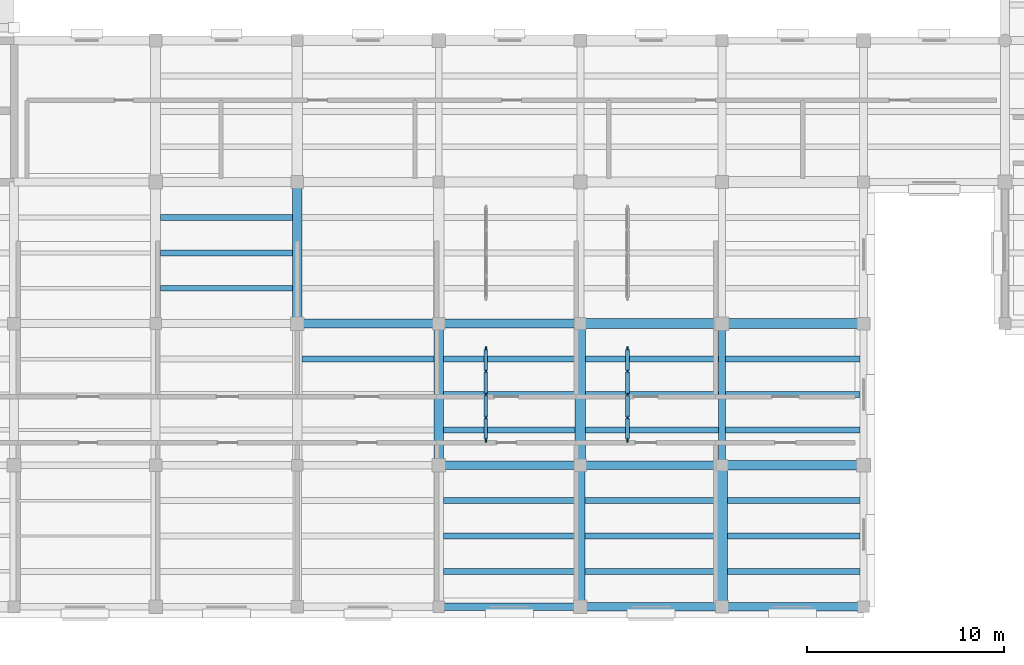
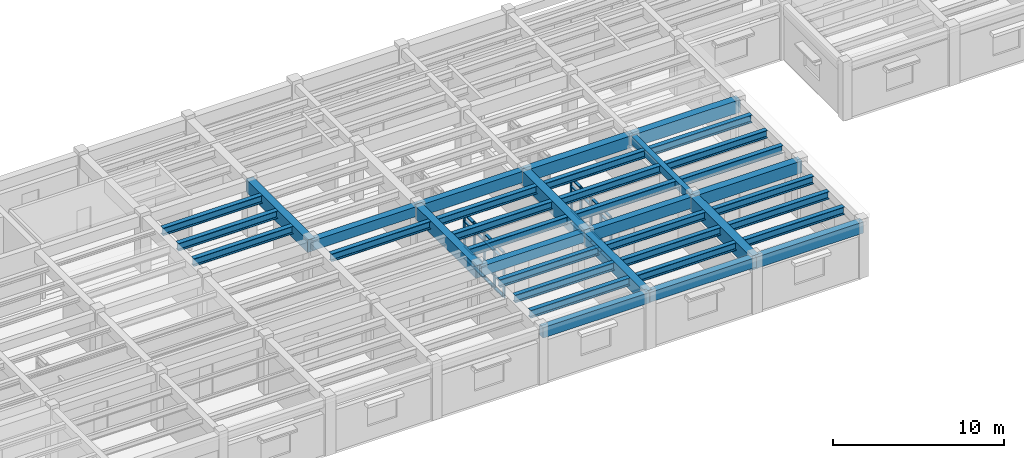
# One storey, part 8 of 66: 42 members, 38 beams, 2 elements without a shape of their own.
"""IFC4 building model written with IfcOpenShell, lengths in metres."""

from ifc_helpers import new_model, si_unit, direction, frame, origin, origin_2d, place, context, subcontext, project, spatial, rectangle, i_section, extrude, material, material_profile, profile_set, type_object, element, aggregate, save


model = new_model("IFC4")

# Units and contexts
model_context = context("Model", 3, precision=1e-05, world=origin(), true_north=direction((0.0, 1.0)))
body_context = subcontext(model_context, "Body", "Model", "MODEL_VIEW")
ifc_project = project(units=[si_unit("LENGTHUNIT", "METRE"), si_unit("AREAUNIT", "SQUARE_METRE"), si_unit("VOLUMEUNIT", "CUBIC_METRE"), si_unit("PLANEANGLEUNIT", "RADIAN"), si_unit("MASSUNIT", "GRAM", prefix="KILO")], contexts=[model_context])

# Site, building, storey
site_placement = place(None, origin())
site = spatial("IfcSite", under=ifc_project, at=site_placement, CompositionType="ELEMENT")
building_placement = place(site_placement, origin())
building = spatial("IfcBuilding", under=site, at=building_placement, Name="Mithqara Police Headquarters", CompositionType="ELEMENT")
storey_placement = place(building_placement, frame((0.0, 0.0, 9.60009765625)))
storey = spatial("IfcBuildingStorey", under=building, at=storey_placement, Name="L02", CompositionType="ELEMENT", Elevation=9.60009765625)

# Beams
ifc_material_1 = material(Name="Steel S355JR", Category="steel")
ifc_material_profile_1 = material_profile(ifc_material_1, i_section(OverallWidth=0.300048828125, OverallDepth=0.550048828125, WebThickness=0.014892578125, FlangeThickness=0.029052734375, FilletRadius=0.027099609375, at=origin_2d()), Name="HEB 550")
ifc_profile_set_1 = profile_set([ifc_material_profile_1], Name="Steel S355JR")
beam_type_1 = type_object("IfcBeamType", Name="BEAM HEB550", PredefinedType="BEAM", material=ifc_profile_set_1)
for number, where, z_axis, x_axis, name in (
    (1, (101.64990234375, 22.800048828125, 3.664794921875), (1.0, 0.0, 0.0), (0.0, 1.0, 0.0), "L02 Composite Steel Joist 15-16/D.1"),
    (2, (101.64990234375, 24.60009765625, 3.664794921875), (1.0, 0.0, 0.0), (0.0, 1.0, 0.0), "L02 Composite Steel Joist 15-16/D.2"),
    (3, (101.64990234375, 26.39990234375, 3.664794921875), (1.0, 0.0, 0.0), (0.0, 1.0, 0.0), "L02 Composite Steel Joist 15-16/D.3"),
):
    element("IfcBeam", number, at=place(storey_placement, frame(where, z_axis=z_axis, x_axis=x_axis)), inside=storey, type_object=beam_type_1, Name=name, PredefinedType="BEAM", context=body_context, shape_type="SweptSolid", body=[
        extrude(i_section(OverallWidth=0.300048828125, OverallDepth=0.550048828125, WebThickness=0.014892578125, FlangeThickness=0.029052734375, FilletRadius=0.027099609375, at=origin_2d()), origin(), (0.0, 0.0, 1.0), 6.7001953125),
    ])
for number, where, z_axis, x_axis, name in (
    (4, (108.85009765625, 19.199951171875, 3.664794921875), (1.0, 0.0, 0.0), (0.0, 1.0, 0.0), "L02 Composite Steel Joist 16-17/C.3"),
    (5, (116.050048828125, 8.39990234375, 3.664794921875), (1.0, 0.0, 0.0), (0.0, 1.0, 0.0), "L02 Composite Steel Joist 17-18/B.1"),
    (6, (116.050048828125, 10.199951171875, 3.664794921875), (1.0, 0.0, 0.0), (0.0, 1.0, 0.0), "L02 Composite Steel Joist 17-18/B.2"),
    (7, (116.050048828125, 12.0, 3.664794921875), (1.0, 0.0, 0.0), (0.0, 1.0, 0.0), "L02 Composite Steel Joist 17-18/B.3"),
):
    element("IfcBeam", number, at=place(storey_placement, frame(where, z_axis=z_axis, x_axis=x_axis)), inside=storey, type_object=beam_type_1, Name=name, PredefinedType="BEAM", context=body_context, shape_type="SweptSolid", body=[
        extrude(i_section(OverallWidth=0.300048828125, OverallDepth=0.550048828125, WebThickness=0.014892578125, FlangeThickness=0.029052734375, FilletRadius=0.027099609375, at=origin_2d()), origin(), (0.0, 0.0, 1.0), 6.699951171875),
    ])
for number, where, z_axis, x_axis, name in (
    (8, (116.050048828125, 15.60009765625, 3.664794921875), (1.0, 0.0, 0.0), (0.0, 1.0, 0.0), "L02 Composite Steel Joist 17-18/C.1"),
    (9, (116.050048828125, 17.39990234375, 3.664794921875), (1.0, 0.0, 0.0), (0.0, 1.0, 0.0), "L02 Composite Steel Joist 17-18/C.2"),
    (10, (116.050048828125, 19.199951171875, 3.664794921875), (1.0, 0.0, 0.0), (0.0, 1.0, 0.0), "L02 Composite Steel Joist 17-18/C.3"),
    (11, (123.25, 8.39990234375, 3.664794921875), (1.0, 0.0, 0.0), (0.0, 1.0, 0.0), "L02 Composite Steel Joist 18-19/B.1"),
    (12, (123.25, 10.199951171875, 3.664794921875), (1.0, 0.0, 0.0), (0.0, 1.0, 0.0), "L02 Composite Steel Joist 18-19/B.2"),
    (13, (123.25, 12.0, 3.664794921875), (1.0, 0.0, 0.0), (0.0, 1.0, 0.0), "L02 Composite Steel Joist 18-19/B.3"),
):
    element("IfcBeam", number, at=place(storey_placement, frame(where, z_axis=z_axis, x_axis=x_axis)), inside=storey, type_object=beam_type_1, Name=name, PredefinedType="BEAM", context=body_context, shape_type="SweptSolid", body=[
        extrude(i_section(OverallWidth=0.300048828125, OverallDepth=0.550048828125, WebThickness=0.014892578125, FlangeThickness=0.029052734375, FilletRadius=0.027099609375, at=origin_2d()), origin(), (0.0, 0.0, 1.0), 6.675048828125),
    ])
for number, where, z_axis, x_axis, name in (
    (14, (123.27490234375, 15.60009765625, 3.664794921875), (1.0, 0.0, 0.0), (0.0, 1.0, 0.0), "L02 Composite Steel Joist 18-19/C.1"),
    (15, (123.27490234375, 17.39990234375, 3.664794921875), (1.0, 0.0, 0.0), (0.0, 1.0, 0.0), "L02 Composite Steel Joist 18-19/C.2"),
    (16, (123.27490234375, 19.199951171875, 3.664794921875), (1.0, 0.0, 0.0), (0.0, 1.0, 0.0), "L02 Composite Steel Joist 18-19/C.3"),
    (17, (130.47509765625, 8.39990234375, 3.664794921875), (1.0, 0.0, 0.0), (0.0, 1.0, 0.0), "L02 Composite Steel Joist 19-20/B.1"),
    (18, (130.47509765625, 10.199951171875, 3.664794921875), (1.0, 0.0, 0.0), (0.0, 1.0, 0.0), "L02 Composite Steel Joist 19-20/B.2"),
    (19, (130.47509765625, 12.0, 3.664794921875), (1.0, 0.0, 0.0), (0.0, 1.0, 0.0), "L02 Composite Steel Joist 19-20/B.3"),
):
    element("IfcBeam", number, at=place(storey_placement, frame(where, z_axis=z_axis, x_axis=x_axis)), inside=storey, type_object=beam_type_1, Name=name, PredefinedType="BEAM", context=body_context, shape_type="SweptSolid", body=[
        extrude(i_section(OverallWidth=0.300048828125, OverallDepth=0.550048828125, WebThickness=0.014892578125, FlangeThickness=0.029052734375, FilletRadius=0.027099609375, at=origin_2d()), origin(), (0.0, 0.0, 1.0), 6.75),
    ])
for number, where, z_axis, x_axis, name in (
    (20, (130.375, 15.60009765625, 3.664794921875), (1.0, 0.0, 0.0), (0.0, 1.0, 0.0), "L02 Composite Steel Joist 19-20/C.1"),
    (21, (130.375, 17.39990234375, 3.664794921875), (1.0, 0.0, 0.0), (0.0, 1.0, 0.0), "L02 Composite Steel Joist 19-20/C.2"),
    (22, (130.375, 19.199951171875, 3.664794921875), (1.0, 0.0, 0.0), (0.0, 1.0, 0.0), "L02 Composite Steel Joist 19-20/C.3"),
):
    element("IfcBeam", number, at=place(storey_placement, frame(where, z_axis=z_axis, x_axis=x_axis)), inside=storey, type_object=beam_type_1, Name=name, PredefinedType="BEAM", context=body_context, shape_type="SweptSolid", body=[
        extrude(i_section(OverallWidth=0.300048828125, OverallDepth=0.550048828125, WebThickness=0.014892578125, FlangeThickness=0.029052734375, FilletRadius=0.027099609375, at=origin_2d()), origin(), (0.0, 0.0, 1.0), 6.85009765625),
    ])
ifc_material_2 = material(Name="Concrete C40/50", Category="concrete")
ifc_material_profile_2 = material_profile(ifc_material_2, rectangle(XDim=0.35009765625, YDim=0.550048828125, at=origin_2d()), Name="RC 350x550")
ifc_profile_set_2 = profile_set([ifc_material_profile_2], Name="Concrete C40/50")
beam_type_2 = type_object("IfcBeamType", Name="BEAM RC350X550", PredefinedType="BEAM", material=ifc_profile_set_2)
beam_1_placement = place(storey_placement, frame((130.199951171875, 13.800048828125, 3.664794921875), z_axis=(0.0, 1.0, 0.0), x_axis=(-1.0, 0.0, 0.0)))
element("IfcBeam", 23, at=beam_1_placement, inside=storey, type_object=beam_type_2, Name="L02 Girder 19/C-D", PredefinedType="BEAM", context=body_context, shape_type="SweptSolid", body=[
    extrude(rectangle(XDim=0.35009765625, YDim=0.550048828125, at=origin_2d()), origin(), (0.0, 0.0, 1.0), 7.199951171875),
])
ifc_material_profile_3 = material_profile(ifc_material_2, rectangle(XDim=0.39990234375, YDim=0.75, at=origin_2d()), Name="RC 400x750")
ifc_profile_set_3 = profile_set([ifc_material_profile_3], Name="Concrete C40/50")
beam_type_3 = type_object("IfcBeamType", Name="BEAM RC400X750", PredefinedType="BEAM", material=ifc_profile_set_3)
beam_2_placement = place(storey_placement, frame((115.800048828125, 6.60009765625, 3.56494140625), z_axis=(1.0, 0.0, 0.0), x_axis=(0.0, 1.0, 0.0)))
element("IfcBeam", 24, at=beam_2_placement, inside=storey, type_object=beam_type_3, Name="L02 Girder 17-18/B", PredefinedType="BEAM", context=body_context, shape_type="SweptSolid", body=[
    extrude(rectangle(XDim=0.39990234375, YDim=0.75, at=origin_2d()), origin(), (0.0, 0.0, 1.0), 7.199951171875),
])
ifc_material_profile_4 = material_profile(ifc_material_2, rectangle(XDim=0.449951171875, YDim=0.699951171875, at=origin_2d()), Name="RC 450x700")
ifc_profile_set_4 = profile_set([ifc_material_profile_4], Name="Concrete C40/50")
beam_type_4 = type_object("IfcBeamType", Name="BEAM RC450X700", PredefinedType="BEAM", material=ifc_profile_set_4)
for number, where, z_axis, x_axis, name in (
    (25, (108.60009765625, 21.0, 3.58984375), (1.0, 0.0, 0.0), (0.0, 1.0, 0.0), "L02 Girder 16-17/D"),
    (26, (115.800048828125, 13.800048828125, 3.58984375), (1.0, 0.0, 0.0), (0.0, 1.0, 0.0), "L02 Girder 17-18/C"),
    (27, (123.0, 6.60009765625, 3.58984375), (1.0, 0.0, 0.0), (0.0, 1.0, 0.0), "L02 Girder 18-19/B"),
):
    element("IfcBeam", number, at=place(storey_placement, frame(where, z_axis=z_axis, x_axis=x_axis)), inside=storey, type_object=beam_type_4, Name=name, PredefinedType="BEAM", context=body_context, shape_type="SweptSolid", body=[
        extrude(rectangle(XDim=0.449951171875, YDim=0.699951171875, at=origin_2d()), origin(), (0.0, 0.0, 1.0), 7.199951171875),
    ])
ifc_material_profile_5 = material_profile(ifc_material_2, rectangle(XDim=0.449951171875, YDim=0.800048828125, at=origin_2d()), Name="RC 450x800")
ifc_profile_set_5 = profile_set([ifc_material_profile_5], Name="Concrete C40/50")
beam_type_5 = type_object("IfcBeamType", Name="BEAM RC450X800", PredefinedType="BEAM", material=ifc_profile_set_5)
for number, where, z_axis, x_axis, name in (
    (28, (115.800048828125, 21.0, 3.539794921875), (1.0, 0.0, 0.0), (0.0, 1.0, 0.0), "L02 Girder 17-18/D"),
    (29, (123.0, 13.800048828125, 3.539794921875), (1.0, 0.0, 0.0), (0.0, 1.0, 0.0), "L02 Girder 18-19/C"),
    (30, (130.199951171875, 6.60009765625, 3.539794921875), (1.0, 0.0, 0.0), (0.0, 1.0, 0.0), "L02 Girder 19-20/B"),
):
    element("IfcBeam", number, at=place(storey_placement, frame(where, z_axis=z_axis, x_axis=x_axis)), inside=storey, type_object=beam_type_5, Name=name, PredefinedType="BEAM", context=body_context, shape_type="SweptSolid", body=[
        extrude(rectangle(XDim=0.449951171875, YDim=0.800048828125, at=origin_2d()), origin(), (0.0, 0.0, 1.0), 7.199951171875),
    ])
ifc_material_profile_6 = material_profile(ifc_material_2, rectangle(XDim=0.5, YDim=0.85009765625, at=origin_2d()), Name="RC 500x850")
ifc_profile_set_6 = profile_set([ifc_material_profile_6], Name="Concrete C40/50")
beam_type_6 = type_object("IfcBeamType", Name="BEAM RC500X850", PredefinedType="BEAM", material=ifc_profile_set_6)
for number, where, z_axis, x_axis, name in (
    (31, (123.0, 21.0, 3.514892578125), (1.0, 0.0, 0.0), (0.0, 1.0, 0.0), "L02 Girder 18-19/D"),
    (32, (130.199951171875, 13.800048828125, 3.514892578125), (1.0, 0.0, 0.0), (0.0, 1.0, 0.0), "L02 Girder 19-20/C"),
):
    element("IfcBeam", number, at=place(storey_placement, frame(where, z_axis=z_axis, x_axis=x_axis)), inside=storey, type_object=beam_type_6, Name=name, PredefinedType="BEAM", context=body_context, shape_type="SweptSolid", body=[
        extrude(rectangle(XDim=0.5, YDim=0.85009765625, at=origin_2d()), origin(), (0.0, 0.0, 1.0), 7.199951171875),
    ])
ifc_material_3 = material(Name="Concrete C50/60", Category="concrete")
ifc_material_profile_7 = material_profile(ifc_material_3, rectangle(XDim=0.5, YDim=0.89990234375, at=origin_2d()), Name="RC 500x900")
ifc_profile_set_7 = profile_set([ifc_material_profile_7], Name="Concrete C50/60")
beam_type_7 = type_object("IfcBeamType", Name="BEAM RC500X900", PredefinedType="BEAM", material=ifc_profile_set_7)
for number, where, z_axis, x_axis, name in (
    (33, (108.60009765625, 21.0, 3.489990234375), (0.0, 1.0, 0.0), (-1.0, 0.0, 0.0), "L02 Girder 16/D-E"),
    (34, (115.800048828125, 13.800048828125, 3.489990234375), (0.0, 1.0, 0.0), (-1.0, 0.0, 0.0), "L02 Girder 17/C-D"),
    (35, (123.0, 6.60009765625, 3.489990234375), (0.0, 1.0, 0.0), (-1.0, 0.0, 0.0), "L02 Girder 18/B-C"),
    (36, (130.199951171875, 21.0, 3.489990234375), (1.0, 0.0, 0.0), (0.0, 1.0, 0.0), "L02 Girder 19-20/D"),
):
    element("IfcBeam", number, at=place(storey_placement, frame(where, z_axis=z_axis, x_axis=x_axis)), inside=storey, type_object=beam_type_7, Name=name, PredefinedType="BEAM", context=body_context, shape_type="SweptSolid", body=[
        extrude(rectangle(XDim=0.5, YDim=0.89990234375, at=origin_2d()), origin(), (0.0, 0.0, 1.0), 7.199951171875),
    ])
ifc_material_profile_8 = material_profile(ifc_material_3, rectangle(XDim=0.550048828125, YDim=1.0, at=origin_2d()), Name="RC 550x1000")
ifc_profile_set_8 = profile_set([ifc_material_profile_8], Name="Concrete C50/60")
beam_type_8 = type_object("IfcBeamType", Name="BEAM RC550X1000", PredefinedType="BEAM", material=ifc_profile_set_8)
for number, where, z_axis, x_axis, name in (
    (37, (123.0, 13.800048828125, 3.43994140625), (0.0, 1.0, 0.0), (-1.0, 0.0, 0.0), "L02 Girder 18/C-D"),
    (38, (130.199951171875, 6.60009765625, 3.43994140625), (0.0, 1.0, 0.0), (-1.0, 0.0, 0.0), "L02 Girder 19/B-C"),
):
    element("IfcBeam", number, at=place(storey_placement, frame(where, z_axis=z_axis, x_axis=x_axis)), inside=storey, type_object=beam_type_8, Name=name, PredefinedType="BEAM", context=body_context, shape_type="SweptSolid", body=[
        extrude(rectangle(XDim=0.550048828125, YDim=1.0, at=origin_2d()), origin(), (0.0, 0.0, 1.0), 7.199951171875),
    ])

# Curtain wall, members
ifc_material_4 = material(Name="Bronze anodised aluminium 6063-T6", Category="aluminium")
curtain_wall_type = type_object("IfcCurtainWallType", Name="CURTAIN WALL 4700X3220", PredefinedType="USERDEFINED", material=ifc_material_4)
curtain_wall_1_placement = place(storey_placement, origin())
curtain_wall_1 = element("IfcCurtainWall", 39, at=curtain_wall_1_placement, inside=storey, type_object=curtain_wall_type, Name="L02 Unitised Glazing CW-16 (CW-INT-L02-X16-Y02-0)", ObjectType="UNITISED GLAZING", PredefinedType="USERDEFINED")
ifc_material_profile_9 = material_profile(ifc_material_4, rectangle(XDim=0.074951171875, YDim=0.219970703125, at=origin_2d()), Name="CWM 75x220")
ifc_profile_set_9 = profile_set([ifc_material_profile_9], Name="Bronze anodised aluminium 6063-T6")
member_type_1 = type_object("IfcMemberType", Name="CWMULLION 75X220", PredefinedType="MULLION", material=ifc_profile_set_9)
member_1_placement = place(storey_placement, frame((118.199951171875, 15.08740234375, 0.0), z_axis=(0.0, 0.0, 1.0), x_axis=(-1.0, 0.0, 0.0)))
member_1 = element("IfcMember", 40, at=member_1_placement, type_object=member_type_1, Name="CW-16 mullion 1", PredefinedType="MULLION", context=body_context, shape_type="SweptSolid", body=[
    extrude(rectangle(XDim=0.074951171875, YDim=0.219970703125, at=origin_2d()), origin(), (0.0, 0.0, 1.0), 3.219970703125),
])
member_2_placement = place(storey_placement, frame((118.199951171875, 16.22509765625, 0.0), z_axis=(0.0, 0.0, 1.0), x_axis=(-1.0, 0.0, 0.0)))
member_2 = element("IfcMember", 41, at=member_2_placement, type_object=member_type_1, Name="CW-16 mullion 2", PredefinedType="MULLION", context=body_context, shape_type="SweptSolid", body=[
    extrude(rectangle(XDim=0.074951171875, YDim=0.219970703125, at=origin_2d()), origin(), (0.0, 0.0, 1.0), 3.219970703125),
])
member_3_placement = place(storey_placement, frame((118.199951171875, 17.39990234375, 0.0), z_axis=(0.0, 0.0, 1.0), x_axis=(-1.0, 0.0, 0.0)))
member_3 = element("IfcMember", 42, at=member_3_placement, type_object=member_type_1, Name="CW-16 mullion 3", PredefinedType="MULLION", context=body_context, shape_type="SweptSolid", body=[
    extrude(rectangle(XDim=0.074951171875, YDim=0.219970703125, at=origin_2d()), origin(), (0.0, 0.0, 1.0), 3.219970703125),
])
member_4_placement = place(storey_placement, frame((118.199951171875, 18.574951171875, 0.0), z_axis=(0.0, 0.0, 1.0), x_axis=(-1.0, 0.0, 0.0)))
member_4 = element("IfcMember", 43, at=member_4_placement, type_object=member_type_1, Name="CW-16 mullion 4", PredefinedType="MULLION", context=body_context, shape_type="SweptSolid", body=[
    extrude(rectangle(XDim=0.074951171875, YDim=0.219970703125, at=origin_2d()), origin(), (0.0, 0.0, 1.0), 3.219970703125),
])
member_5_placement = place(storey_placement, frame((118.199951171875, 19.71240234375, 0.0), z_axis=(0.0, 0.0, 1.0), x_axis=(-1.0, 0.0, 0.0)))
member_5 = element("IfcMember", 44, at=member_5_placement, type_object=member_type_1, Name="CW-16 mullion 5", PredefinedType="MULLION", context=body_context, shape_type="SweptSolid", body=[
    extrude(rectangle(XDim=0.074951171875, YDim=0.219970703125, at=origin_2d()), origin(), (0.0, 0.0, 1.0), 3.219970703125),
])

curtain_wall_2_placement = place(storey_placement, origin())
curtain_wall_2 = element("IfcCurtainWall", 45, at=curtain_wall_2_placement, inside=storey, type_object=curtain_wall_type, Name="L02 Unitised Glazing CW-16 (CW-INT-L02-X17-Y02-0)", ObjectType="UNITISED GLAZING", PredefinedType="USERDEFINED")
member_6_placement = place(storey_placement, frame((125.39990234375, 15.08740234375, 0.0), z_axis=(0.0, 0.0, 1.0), x_axis=(-1.0, 0.0, 0.0)))
member_6 = element("IfcMember", 46, at=member_6_placement, type_object=member_type_1, Name="CW-16 mullion 1", PredefinedType="MULLION", context=body_context, shape_type="SweptSolid", body=[
    extrude(rectangle(XDim=0.074951171875, YDim=0.219970703125, at=origin_2d()), origin(), (0.0, 0.0, 1.0), 3.219970703125),
])
member_7_placement = place(storey_placement, frame((125.39990234375, 16.22509765625, 0.0), z_axis=(0.0, 0.0, 1.0), x_axis=(-1.0, 0.0, 0.0)))
member_7 = element("IfcMember", 47, at=member_7_placement, type_object=member_type_1, Name="CW-16 mullion 2", PredefinedType="MULLION", context=body_context, shape_type="SweptSolid", body=[
    extrude(rectangle(XDim=0.074951171875, YDim=0.219970703125, at=origin_2d()), origin(), (0.0, 0.0, 1.0), 3.219970703125),
])
member_8_placement = place(storey_placement, frame((125.39990234375, 17.39990234375, 0.0), z_axis=(0.0, 0.0, 1.0), x_axis=(-1.0, 0.0, 0.0)))
member_8 = element("IfcMember", 48, at=member_8_placement, type_object=member_type_1, Name="CW-16 mullion 3", PredefinedType="MULLION", context=body_context, shape_type="SweptSolid", body=[
    extrude(rectangle(XDim=0.074951171875, YDim=0.219970703125, at=origin_2d()), origin(), (0.0, 0.0, 1.0), 3.219970703125),
])
member_9_placement = place(storey_placement, frame((125.39990234375, 18.574951171875, 0.0), z_axis=(0.0, 0.0, 1.0), x_axis=(-1.0, 0.0, 0.0)))
member_9 = element("IfcMember", 49, at=member_9_placement, type_object=member_type_1, Name="CW-16 mullion 4", PredefinedType="MULLION", context=body_context, shape_type="SweptSolid", body=[
    extrude(rectangle(XDim=0.074951171875, YDim=0.219970703125, at=origin_2d()), origin(), (0.0, 0.0, 1.0), 3.219970703125),
])
member_10_placement = place(storey_placement, frame((125.39990234375, 19.71240234375, 0.0), z_axis=(0.0, 0.0, 1.0), x_axis=(-1.0, 0.0, 0.0)))
member_10 = element("IfcMember", 50, at=member_10_placement, type_object=member_type_1, Name="CW-16 mullion 5", PredefinedType="MULLION", context=body_context, shape_type="SweptSolid", body=[
    extrude(rectangle(XDim=0.074951171875, YDim=0.219970703125, at=origin_2d()), origin(), (0.0, 0.0, 1.0), 3.219970703125),
])

# Member
ifc_material_profile_10 = material_profile(ifc_material_4, rectangle(XDim=0.179931640625, YDim=0.074951171875, at=origin_2d()), Name="CWT 180x75")
ifc_profile_set_10 = profile_set([ifc_material_profile_10], Name="Bronze anodised aluminium 6063-T6")
member_type_2 = type_object("IfcMemberType", Name="CWTRANSOM 180X75", PredefinedType="USERDEFINED", material=ifc_profile_set_10)
member_11_placement = place(storey_placement, frame((118.199951171875, 15.125, 0.037353515625), z_axis=(0.0, 1.0, 0.0), x_axis=(-1.0, 0.0, 0.0)))
member_11 = element("IfcMember", 51, at=member_11_placement, type_object=member_type_2, Name="CW-16 transom 1.1", ObjectType="TRANSOM", PredefinedType="USERDEFINED", context=body_context, shape_type="SweptSolid", body=[
    extrude(rectangle(XDim=0.179931640625, YDim=0.074951171875, at=origin_2d()), origin(), (0.0, 0.0, 1.0), 1.0625),
])

member_12_placement = place(storey_placement, frame((118.199951171875, 15.125, 0.89990234375), z_axis=(0.0, 1.0, 0.0), x_axis=(-1.0, 0.0, 0.0)))
member_12 = element("IfcMember", 52, at=member_12_placement, type_object=member_type_2, Name="CW-16 transom 1.2", ObjectType="TRANSOM", PredefinedType="USERDEFINED", context=body_context, shape_type="SweptSolid", body=[
    extrude(rectangle(XDim=0.179931640625, YDim=0.074951171875, at=origin_2d()), origin(), (0.0, 0.0, 1.0), 1.0625),
])

member_13_placement = place(storey_placement, frame((118.199951171875, 15.125, 2.669921875), z_axis=(0.0, 1.0, 0.0), x_axis=(-1.0, 0.0, 0.0)))
member_13 = element("IfcMember", 53, at=member_13_placement, type_object=member_type_2, Name="CW-16 transom 1.3", ObjectType="TRANSOM", PredefinedType="USERDEFINED", context=body_context, shape_type="SweptSolid", body=[
    extrude(rectangle(XDim=0.179931640625, YDim=0.074951171875, at=origin_2d()), origin(), (0.0, 0.0, 1.0), 1.0625),
])

member_14_placement = place(storey_placement, frame((118.199951171875, 15.125, 3.182373046875), z_axis=(0.0, 1.0, 0.0), x_axis=(-1.0, 0.0, 0.0)))
member_14 = element("IfcMember", 54, at=member_14_placement, type_object=member_type_2, Name="CW-16 transom 1.4", ObjectType="TRANSOM", PredefinedType="USERDEFINED", context=body_context, shape_type="SweptSolid", body=[
    extrude(rectangle(XDim=0.179931640625, YDim=0.074951171875, at=origin_2d()), origin(), (0.0, 0.0, 1.0), 1.0625),
])

member_15_placement = place(storey_placement, frame((118.199951171875, 16.262451171875, 0.037353515625), z_axis=(0.0, 1.0, 0.0), x_axis=(-1.0, 0.0, 0.0)))
member_15 = element("IfcMember", 55, at=member_15_placement, type_object=member_type_2, Name="CW-16 transom 2.1", ObjectType="TRANSOM", PredefinedType="USERDEFINED", context=body_context, shape_type="SweptSolid", body=[
    extrude(rectangle(XDim=0.179931640625, YDim=0.074951171875, at=origin_2d()), origin(), (0.0, 0.0, 1.0), 1.10009765625),
])

member_16_placement = place(storey_placement, frame((118.199951171875, 16.262451171875, 0.89990234375), z_axis=(0.0, 1.0, 0.0), x_axis=(-1.0, 0.0, 0.0)))
member_16 = element("IfcMember", 56, at=member_16_placement, type_object=member_type_2, Name="CW-16 transom 2.2", ObjectType="TRANSOM", PredefinedType="USERDEFINED", context=body_context, shape_type="SweptSolid", body=[
    extrude(rectangle(XDim=0.179931640625, YDim=0.074951171875, at=origin_2d()), origin(), (0.0, 0.0, 1.0), 1.10009765625),
])

member_17_placement = place(storey_placement, frame((118.199951171875, 16.262451171875, 2.669921875), z_axis=(0.0, 1.0, 0.0), x_axis=(-1.0, 0.0, 0.0)))
member_17 = element("IfcMember", 57, at=member_17_placement, type_object=member_type_2, Name="CW-16 transom 2.3", ObjectType="TRANSOM", PredefinedType="USERDEFINED", context=body_context, shape_type="SweptSolid", body=[
    extrude(rectangle(XDim=0.179931640625, YDim=0.074951171875, at=origin_2d()), origin(), (0.0, 0.0, 1.0), 1.10009765625),
])

member_18_placement = place(storey_placement, frame((118.199951171875, 16.262451171875, 3.182373046875), z_axis=(0.0, 1.0, 0.0), x_axis=(-1.0, 0.0, 0.0)))
member_18 = element("IfcMember", 58, at=member_18_placement, type_object=member_type_2, Name="CW-16 transom 2.4", ObjectType="TRANSOM", PredefinedType="USERDEFINED", context=body_context, shape_type="SweptSolid", body=[
    extrude(rectangle(XDim=0.179931640625, YDim=0.074951171875, at=origin_2d()), origin(), (0.0, 0.0, 1.0), 1.10009765625),
])

member_19_placement = place(storey_placement, frame((118.199951171875, 17.4375, 0.037353515625), z_axis=(0.0, 1.0, 0.0), x_axis=(-1.0, 0.0, 0.0)))
member_19 = element("IfcMember", 59, at=member_19_placement, type_object=member_type_2, Name="CW-16 transom 3.1", ObjectType="TRANSOM", PredefinedType="USERDEFINED", context=body_context, shape_type="SweptSolid", body=[
    extrude(rectangle(XDim=0.179931640625, YDim=0.074951171875, at=origin_2d()), origin(), (0.0, 0.0, 1.0), 1.10009765625),
])

member_20_placement = place(storey_placement, frame((118.199951171875, 17.4375, 0.89990234375), z_axis=(0.0, 1.0, 0.0), x_axis=(-1.0, 0.0, 0.0)))
member_20 = element("IfcMember", 60, at=member_20_placement, type_object=member_type_2, Name="CW-16 transom 3.2", ObjectType="TRANSOM", PredefinedType="USERDEFINED", context=body_context, shape_type="SweptSolid", body=[
    extrude(rectangle(XDim=0.179931640625, YDim=0.074951171875, at=origin_2d()), origin(), (0.0, 0.0, 1.0), 1.10009765625),
])

member_21_placement = place(storey_placement, frame((118.199951171875, 17.4375, 2.669921875), z_axis=(0.0, 1.0, 0.0), x_axis=(-1.0, 0.0, 0.0)))
member_21 = element("IfcMember", 61, at=member_21_placement, type_object=member_type_2, Name="CW-16 transom 3.3", ObjectType="TRANSOM", PredefinedType="USERDEFINED", context=body_context, shape_type="SweptSolid", body=[
    extrude(rectangle(XDim=0.179931640625, YDim=0.074951171875, at=origin_2d()), origin(), (0.0, 0.0, 1.0), 1.10009765625),
])

member_22_placement = place(storey_placement, frame((118.199951171875, 17.4375, 3.182373046875), z_axis=(0.0, 1.0, 0.0), x_axis=(-1.0, 0.0, 0.0)))
member_22 = element("IfcMember", 62, at=member_22_placement, type_object=member_type_2, Name="CW-16 transom 3.4", ObjectType="TRANSOM", PredefinedType="USERDEFINED", context=body_context, shape_type="SweptSolid", body=[
    extrude(rectangle(XDim=0.179931640625, YDim=0.074951171875, at=origin_2d()), origin(), (0.0, 0.0, 1.0), 1.10009765625),
])

member_23_placement = place(storey_placement, frame((118.199951171875, 18.612548828125, 0.037353515625), z_axis=(0.0, 1.0, 0.0), x_axis=(-1.0, 0.0, 0.0)))
member_23 = element("IfcMember", 63, at=member_23_placement, type_object=member_type_2, Name="CW-16 transom 4.1", ObjectType="TRANSOM", PredefinedType="USERDEFINED", context=body_context, shape_type="SweptSolid", body=[
    extrude(rectangle(XDim=0.179931640625, YDim=0.074951171875, at=origin_2d()), origin(), (0.0, 0.0, 1.0), 1.0625),
])

member_24_placement = place(storey_placement, frame((118.199951171875, 18.612548828125, 0.89990234375), z_axis=(0.0, 1.0, 0.0), x_axis=(-1.0, 0.0, 0.0)))
member_24 = element("IfcMember", 64, at=member_24_placement, type_object=member_type_2, Name="CW-16 transom 4.2", ObjectType="TRANSOM", PredefinedType="USERDEFINED", context=body_context, shape_type="SweptSolid", body=[
    extrude(rectangle(XDim=0.179931640625, YDim=0.074951171875, at=origin_2d()), origin(), (0.0, 0.0, 1.0), 1.0625),
])

member_25_placement = place(storey_placement, frame((118.199951171875, 18.612548828125, 2.669921875), z_axis=(0.0, 1.0, 0.0), x_axis=(-1.0, 0.0, 0.0)))
member_25 = element("IfcMember", 65, at=member_25_placement, type_object=member_type_2, Name="CW-16 transom 4.3", ObjectType="TRANSOM", PredefinedType="USERDEFINED", context=body_context, shape_type="SweptSolid", body=[
    extrude(rectangle(XDim=0.179931640625, YDim=0.074951171875, at=origin_2d()), origin(), (0.0, 0.0, 1.0), 1.0625),
])

member_26_placement = place(storey_placement, frame((118.199951171875, 18.612548828125, 3.182373046875), z_axis=(0.0, 1.0, 0.0), x_axis=(-1.0, 0.0, 0.0)))
member_26 = element("IfcMember", 66, at=member_26_placement, type_object=member_type_2, Name="CW-16 transom 4.4", ObjectType="TRANSOM", PredefinedType="USERDEFINED", context=body_context, shape_type="SweptSolid", body=[
    extrude(rectangle(XDim=0.179931640625, YDim=0.074951171875, at=origin_2d()), origin(), (0.0, 0.0, 1.0), 1.0625),
])

aggregate(curtain_wall_1, [member_1, member_2, member_3, member_4, member_5, member_11, member_12, member_13, member_14, member_15, member_16, member_17, member_18, member_19, member_20, member_21, member_22, member_23, member_24, member_25, member_26])

member_27_placement = place(storey_placement, frame((125.39990234375, 15.125, 0.037353515625), z_axis=(0.0, 1.0, 0.0), x_axis=(-1.0, 0.0, 0.0)))
member_27 = element("IfcMember", 67, at=member_27_placement, type_object=member_type_2, Name="CW-16 transom 1.1", ObjectType="TRANSOM", PredefinedType="USERDEFINED", context=body_context, shape_type="SweptSolid", body=[
    extrude(rectangle(XDim=0.179931640625, YDim=0.074951171875, at=origin_2d()), origin(), (0.0, 0.0, 1.0), 1.0625),
])

member_28_placement = place(storey_placement, frame((125.39990234375, 15.125, 0.89990234375), z_axis=(0.0, 1.0, 0.0), x_axis=(-1.0, 0.0, 0.0)))
member_28 = element("IfcMember", 68, at=member_28_placement, type_object=member_type_2, Name="CW-16 transom 1.2", ObjectType="TRANSOM", PredefinedType="USERDEFINED", context=body_context, shape_type="SweptSolid", body=[
    extrude(rectangle(XDim=0.179931640625, YDim=0.074951171875, at=origin_2d()), origin(), (0.0, 0.0, 1.0), 1.0625),
])

member_29_placement = place(storey_placement, frame((125.39990234375, 15.125, 2.669921875), z_axis=(0.0, 1.0, 0.0), x_axis=(-1.0, 0.0, 0.0)))
member_29 = element("IfcMember", 69, at=member_29_placement, type_object=member_type_2, Name="CW-16 transom 1.3", ObjectType="TRANSOM", PredefinedType="USERDEFINED", context=body_context, shape_type="SweptSolid", body=[
    extrude(rectangle(XDim=0.179931640625, YDim=0.074951171875, at=origin_2d()), origin(), (0.0, 0.0, 1.0), 1.0625),
])

member_30_placement = place(storey_placement, frame((125.39990234375, 15.125, 3.182373046875), z_axis=(0.0, 1.0, 0.0), x_axis=(-1.0, 0.0, 0.0)))
member_30 = element("IfcMember", 70, at=member_30_placement, type_object=member_type_2, Name="CW-16 transom 1.4", ObjectType="TRANSOM", PredefinedType="USERDEFINED", context=body_context, shape_type="SweptSolid", body=[
    extrude(rectangle(XDim=0.179931640625, YDim=0.074951171875, at=origin_2d()), origin(), (0.0, 0.0, 1.0), 1.0625),
])

member_31_placement = place(storey_placement, frame((125.39990234375, 16.262451171875, 0.037353515625), z_axis=(0.0, 1.0, 0.0), x_axis=(-1.0, 0.0, 0.0)))
member_31 = element("IfcMember", 71, at=member_31_placement, type_object=member_type_2, Name="CW-16 transom 2.1", ObjectType="TRANSOM", PredefinedType="USERDEFINED", context=body_context, shape_type="SweptSolid", body=[
    extrude(rectangle(XDim=0.179931640625, YDim=0.074951171875, at=origin_2d()), origin(), (0.0, 0.0, 1.0), 1.10009765625),
])

member_32_placement = place(storey_placement, frame((125.39990234375, 16.262451171875, 0.89990234375), z_axis=(0.0, 1.0, 0.0), x_axis=(-1.0, 0.0, 0.0)))
member_32 = element("IfcMember", 72, at=member_32_placement, type_object=member_type_2, Name="CW-16 transom 2.2", ObjectType="TRANSOM", PredefinedType="USERDEFINED", context=body_context, shape_type="SweptSolid", body=[
    extrude(rectangle(XDim=0.179931640625, YDim=0.074951171875, at=origin_2d()), origin(), (0.0, 0.0, 1.0), 1.10009765625),
])

member_33_placement = place(storey_placement, frame((125.39990234375, 16.262451171875, 2.669921875), z_axis=(0.0, 1.0, 0.0), x_axis=(-1.0, 0.0, 0.0)))
member_33 = element("IfcMember", 73, at=member_33_placement, type_object=member_type_2, Name="CW-16 transom 2.3", ObjectType="TRANSOM", PredefinedType="USERDEFINED", context=body_context, shape_type="SweptSolid", body=[
    extrude(rectangle(XDim=0.179931640625, YDim=0.074951171875, at=origin_2d()), origin(), (0.0, 0.0, 1.0), 1.10009765625),
])

member_34_placement = place(storey_placement, frame((125.39990234375, 16.262451171875, 3.182373046875), z_axis=(0.0, 1.0, 0.0), x_axis=(-1.0, 0.0, 0.0)))
member_34 = element("IfcMember", 74, at=member_34_placement, type_object=member_type_2, Name="CW-16 transom 2.4", ObjectType="TRANSOM", PredefinedType="USERDEFINED", context=body_context, shape_type="SweptSolid", body=[
    extrude(rectangle(XDim=0.179931640625, YDim=0.074951171875, at=origin_2d()), origin(), (0.0, 0.0, 1.0), 1.10009765625),
])

member_35_placement = place(storey_placement, frame((125.39990234375, 17.4375, 0.037353515625), z_axis=(0.0, 1.0, 0.0), x_axis=(-1.0, 0.0, 0.0)))
member_35 = element("IfcMember", 75, at=member_35_placement, type_object=member_type_2, Name="CW-16 transom 3.1", ObjectType="TRANSOM", PredefinedType="USERDEFINED", context=body_context, shape_type="SweptSolid", body=[
    extrude(rectangle(XDim=0.179931640625, YDim=0.074951171875, at=origin_2d()), origin(), (0.0, 0.0, 1.0), 1.10009765625),
])

member_36_placement = place(storey_placement, frame((125.39990234375, 17.4375, 0.89990234375), z_axis=(0.0, 1.0, 0.0), x_axis=(-1.0, 0.0, 0.0)))
member_36 = element("IfcMember", 76, at=member_36_placement, type_object=member_type_2, Name="CW-16 transom 3.2", ObjectType="TRANSOM", PredefinedType="USERDEFINED", context=body_context, shape_type="SweptSolid", body=[
    extrude(rectangle(XDim=0.179931640625, YDim=0.074951171875, at=origin_2d()), origin(), (0.0, 0.0, 1.0), 1.10009765625),
])

member_37_placement = place(storey_placement, frame((125.39990234375, 17.4375, 2.669921875), z_axis=(0.0, 1.0, 0.0), x_axis=(-1.0, 0.0, 0.0)))
member_37 = element("IfcMember", 77, at=member_37_placement, type_object=member_type_2, Name="CW-16 transom 3.3", ObjectType="TRANSOM", PredefinedType="USERDEFINED", context=body_context, shape_type="SweptSolid", body=[
    extrude(rectangle(XDim=0.179931640625, YDim=0.074951171875, at=origin_2d()), origin(), (0.0, 0.0, 1.0), 1.10009765625),
])

member_38_placement = place(storey_placement, frame((125.39990234375, 17.4375, 3.182373046875), z_axis=(0.0, 1.0, 0.0), x_axis=(-1.0, 0.0, 0.0)))
member_38 = element("IfcMember", 78, at=member_38_placement, type_object=member_type_2, Name="CW-16 transom 3.4", ObjectType="TRANSOM", PredefinedType="USERDEFINED", context=body_context, shape_type="SweptSolid", body=[
    extrude(rectangle(XDim=0.179931640625, YDim=0.074951171875, at=origin_2d()), origin(), (0.0, 0.0, 1.0), 1.10009765625),
])

member_39_placement = place(storey_placement, frame((125.39990234375, 18.612548828125, 0.037353515625), z_axis=(0.0, 1.0, 0.0), x_axis=(-1.0, 0.0, 0.0)))
member_39 = element("IfcMember", 79, at=member_39_placement, type_object=member_type_2, Name="CW-16 transom 4.1", ObjectType="TRANSOM", PredefinedType="USERDEFINED", context=body_context, shape_type="SweptSolid", body=[
    extrude(rectangle(XDim=0.179931640625, YDim=0.074951171875, at=origin_2d()), origin(), (0.0, 0.0, 1.0), 1.0625),
])

member_40_placement = place(storey_placement, frame((125.39990234375, 18.612548828125, 0.89990234375), z_axis=(0.0, 1.0, 0.0), x_axis=(-1.0, 0.0, 0.0)))
member_40 = element("IfcMember", 80, at=member_40_placement, type_object=member_type_2, Name="CW-16 transom 4.2", ObjectType="TRANSOM", PredefinedType="USERDEFINED", context=body_context, shape_type="SweptSolid", body=[
    extrude(rectangle(XDim=0.179931640625, YDim=0.074951171875, at=origin_2d()), origin(), (0.0, 0.0, 1.0), 1.0625),
])

member_41_placement = place(storey_placement, frame((125.39990234375, 18.612548828125, 2.669921875), z_axis=(0.0, 1.0, 0.0), x_axis=(-1.0, 0.0, 0.0)))
member_41 = element("IfcMember", 81, at=member_41_placement, type_object=member_type_2, Name="CW-16 transom 4.3", ObjectType="TRANSOM", PredefinedType="USERDEFINED", context=body_context, shape_type="SweptSolid", body=[
    extrude(rectangle(XDim=0.179931640625, YDim=0.074951171875, at=origin_2d()), origin(), (0.0, 0.0, 1.0), 1.0625),
])

member_42_placement = place(storey_placement, frame((125.39990234375, 18.612548828125, 3.182373046875), z_axis=(0.0, 1.0, 0.0), x_axis=(-1.0, 0.0, 0.0)))
member_42 = element("IfcMember", 82, at=member_42_placement, type_object=member_type_2, Name="CW-16 transom 4.4", ObjectType="TRANSOM", PredefinedType="USERDEFINED", context=body_context, shape_type="SweptSolid", body=[
    extrude(rectangle(XDim=0.179931640625, YDim=0.074951171875, at=origin_2d()), origin(), (0.0, 0.0, 1.0), 1.0625),
])

aggregate(curtain_wall_2, [member_6, member_7, member_8, member_9, member_10, member_27, member_28, member_29, member_30, member_31, member_32, member_33, member_34, member_35, member_36, member_37, member_38, member_39, member_40, member_41, member_42])

save(model, "model.ifc")
